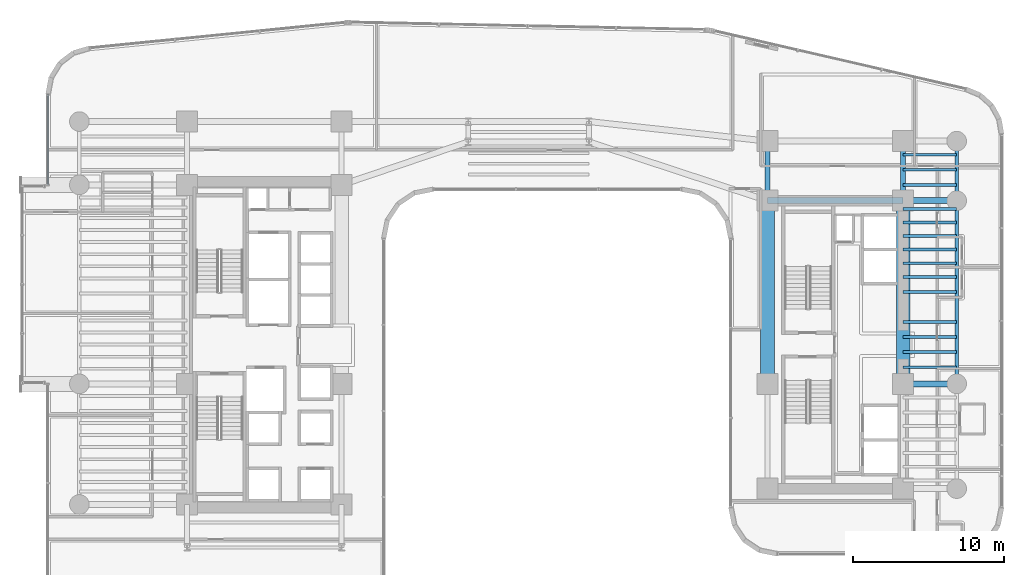
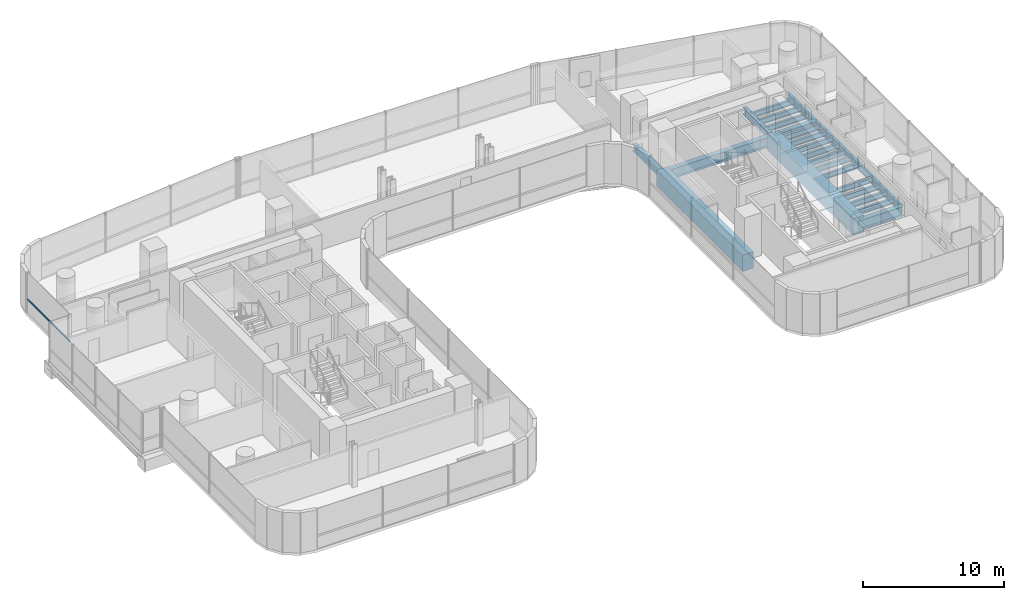
# One storey, part 16 of 39: 23 beams, 1 member, 1 element without a shape of its own.
"""IFC4 building model written with IfcOpenShell, lengths in metres."""

from ifc_helpers import new_model, si_unit, direction, frame, origin, origin_2d, place, context, subcontext, project, spatial, rectangle, hollow_rectangle, i_section, extrude, source, transform, mapped, material, material_profile, profile_set, type_object, element, aggregate, save


model = new_model("IFC4")

# Units and contexts
model_context = context("Model", 3, precision=1e-05, world=origin(), true_north=direction((0.0, 1.0)))
body_context = subcontext(model_context, "Body", "Model", "MODEL_VIEW")
ifc_project = project(units=[si_unit("LENGTHUNIT", "METRE"), si_unit("AREAUNIT", "SQUARE_METRE"), si_unit("VOLUMEUNIT", "CUBIC_METRE"), si_unit("PLANEANGLEUNIT", "RADIAN"), si_unit("MASSUNIT", "GRAM", prefix="KILO")], contexts=[model_context])

# Site, building, storey
site_placement = place(None, origin())
site = spatial("IfcSite", under=ifc_project, at=site_placement, CompositionType="ELEMENT")
building_placement = place(site_placement, origin())
building = spatial("IfcBuilding", under=site, at=building_placement, Name="Valdorenza Pilgrim Sanctuary Tower", CompositionType="ELEMENT")
storey_placement = place(building_placement, frame((0.0, 0.0, 74.10009765625)))
storey = spatial("IfcBuildingStorey", under=building, at=storey_placement, Name="L18", CompositionType="ELEMENT", Elevation=74.10009765625)

# Beams
ifc_material_1 = material(Name="Concrete C60/75", Category="concrete")
ifc_material_profile_1 = material_profile(ifc_material_1, rectangle(XDim=0.89990234375, YDim=1.39990234375, at=origin_2d()), Name="RC 1400x900")
ifc_profile_set_1 = profile_set([ifc_material_profile_1], Name="Concrete C60/75")
beam_type_1 = type_object("IfcBeamType", Name="STR-BM-LNT-1400", PredefinedType="LINTEL", material=ifc_profile_set_1)
shared_shape_1 = source(origin(), body_context, "Body", "SweptSolid", [
    extrude(rectangle(XDim=0.89990234375, YDim=1.39990234375, at=origin_2d()), origin(), (0.0, 0.0, 1.0), 12.150146484375),
])
for number, where, z_axis, x_axis, name in (
    (1, (15.85009765625, -2.60009765625, -0.739990234375), (0.0, 1.0, 0.0), (-1.0, 0.0, 0.0), "L18 Core B West Coupling Lintel Girder"),
    (2, (24.85009765625, -2.60009765625, -0.739990234375), (0.0, 1.0, 0.0), (-1.0, 0.0, 0.0), "L18 Core B East Coupling Lintel Girder"),
):
    element("IfcBeam", number, at=place(storey_placement, frame(where, z_axis=z_axis, x_axis=x_axis)), inside=storey, type_object=beam_type_1, Name=name, PredefinedType="LINTEL", context=body_context, shape_type="MappedRepresentation", body=[
        mapped(shared_shape_1, transform((0.0, 0.0, 0.0), x_axis=(1.0, 0.0, 0.0), y_axis=(0.0, 1.0, 0.0), z_axis=(0.0, 0.0, 1.0), scale=1.0)),
    ])
ifc_material_2 = material(Name="Steel ASTM A992 Grade 50", Category="steel")
ifc_material_profile_2 = material_profile(ifc_material_2, i_section(OverallWidth=0.214111328125, OverallDepth=0.549072265625, WebThickness=0.0146484375, FlangeThickness=0.023681640625, at=origin_2d()), Name="W21X93")
ifc_profile_set_2 = profile_set([ifc_material_profile_2], Name="Steel ASTM A992 Grade 50")
beam_type_2 = type_object("IfcBeamType", Name="STR-BM-SPN-W21A", PredefinedType="SPANDREL", material=ifc_profile_set_2)
shared_shape_2 = source(origin(), body_context, "Body", "SweptSolid", [
    extrude(i_section(OverallWidth=0.214111328125, OverallDepth=0.549072265625, WebThickness=0.0146484375, FlangeThickness=0.023681640625, at=origin_2d()), origin(), (0.0, 0.0, 1.0), 12.150146484375),
])
beam_1_placement = place(storey_placement, frame((28.39990234375, -2.60009765625, -0.5146484375), z_axis=(0.0, 1.0, 0.0), x_axis=(-1.0, 0.0, 0.0)))
element("IfcBeam", 3, at=beam_1_placement, inside=storey, type_object=beam_type_2, Name="L18 Spandrel Beam WB-E-M0N1", PredefinedType="SPANDREL", context=body_context, shape_type="MappedRepresentation", body=[
    mapped(shared_shape_2, transform((0.0, 0.0, 0.0), x_axis=(1.0, 0.0, 0.0), y_axis=(0.0, 1.0, 0.0), z_axis=(0.0, 0.0, 1.0), scale=1.0)),
])
ifc_material_profile_3 = material_profile(ifc_material_2, i_section(OverallWidth=0.323974609375, OverallDepth=0.611083984375, WebThickness=0.0126953125, FlangeThickness=0.01904296875, at=origin_2d()), Name="W24X104")
ifc_profile_set_3 = profile_set([ifc_material_profile_3], Name="Steel ASTM A992 Grade 50")
beam_type_3 = type_object("IfcBeamType", Name="STR-BM-GRD-W24B", PredefinedType="BEAM", material=ifc_profile_set_3)
shared_shape_3 = source(origin(), body_context, "Body", "SweptSolid", [
    extrude(i_section(OverallWidth=0.323974609375, OverallDepth=0.611083984375, WebThickness=0.0126953125, FlangeThickness=0.01904296875, at=origin_2d()), origin(), (0.0, 0.0, 1.0), 3.949951171875),
])
for number, where, z_axis, x_axis, name in (
    (4, (15.85009765625, 9.550048828125, -0.545654296875), (0.0, 1.0, 0.0), (-1.0, 0.0, 0.0), "L18 Core Tie Girder CB-W-N1N2"),
    (5, (24.85009765625, 9.550048828125, -0.545654296875), (0.0, 1.0, 0.0), (-1.0, 0.0, 0.0), "L18 Core Tie Girder CB-E-N1N2"),
):
    element("IfcBeam", number, at=place(storey_placement, frame(where, z_axis=z_axis, x_axis=x_axis)), inside=storey, type_object=beam_type_3, Name=name, PredefinedType="BEAM", context=body_context, shape_type="MappedRepresentation", body=[
        mapped(shared_shape_3, transform((0.0, 0.0, 0.0), x_axis=(1.0, 0.0, 0.0), y_axis=(0.0, 1.0, 0.0), z_axis=(0.0, 0.0, 1.0), scale=1.0)),
    ])
shared_shape_4 = source(origin(), body_context, "Body", "SweptSolid", [
    extrude(i_section(OverallWidth=0.214111328125, OverallDepth=0.549072265625, WebThickness=0.0146484375, FlangeThickness=0.023681640625, at=origin_2d()), origin(), (0.0, 0.0, 1.0), 3.949951171875),
])
beam_2_placement = place(storey_placement, frame((28.39990234375, 9.550048828125, -0.5146484375), z_axis=(0.0, 1.0, 0.0), x_axis=(-1.0, 0.0, 0.0)))
element("IfcBeam", 6, at=beam_2_placement, inside=storey, type_object=beam_type_2, Name="L18 Spandrel Beam WB-E-N1N2", PredefinedType="SPANDREL", context=body_context, shape_type="MappedRepresentation", body=[
    mapped(shared_shape_4, transform((0.0, 0.0, 0.0), x_axis=(1.0, 0.0, 0.0), y_axis=(0.0, 1.0, 0.0), z_axis=(0.0, 0.0, 1.0), scale=1.0)),
])
ifc_material_profile_4 = material_profile(ifc_material_2, i_section(OverallWidth=0.193115234375, OverallDepth=0.466064453125, WebThickness=0.011474609375, FlangeThickness=0.01904296875, at=origin_2d()), Name="W18X65")
ifc_profile_set_4 = profile_set([ifc_material_profile_4], Name="Steel ASTM A992 Grade 50")
beam_type_4 = type_object("IfcBeamType", Name="STR-BM-JST-W18A", PredefinedType="JOIST", material=ifc_profile_set_4)
shared_shape_5 = source(origin(), body_context, "Body", "SweptSolid", [
    extrude(i_section(OverallWidth=0.193115234375, OverallDepth=0.466064453125, WebThickness=0.011474609375, FlangeThickness=0.01904296875, at=origin_2d()), origin(), (0.0, 0.0, 1.0), 3.5498046875),
])
for number, where, z_axis, x_axis, name in (
    (7, (24.85009765625, -1.5, -0.47314453125), (1.0, 0.0, 0.0), (0.0, 1.0, 0.0), "L18 Composite Floor Joist JST-WB-8"),
    (8, (24.85009765625, -0.5, -0.47314453125), (1.0, 0.0, 0.0), (0.0, 1.0, 0.0), "L18 Composite Floor Joist JST-WB-9"),
    (9, (24.85009765625, 0.5, -0.47314453125), (1.0, 0.0, 0.0), (0.0, 1.0, 0.0), "L18 Composite Floor Joist JST-WB-10"),
    (10, (24.85009765625, 1.5, -0.47314453125), (1.0, 0.0, 0.0), (0.0, 1.0, 0.0), "L18 Composite Floor Joist JST-WB-11"),
    (11, (24.85009765625, 3.5, -0.47314453125), (1.0, 0.0, 0.0), (0.0, 1.0, 0.0), "L18 Composite Floor Joist JST-WB-12"),
    (12, (24.85009765625, 4.5, -0.47314453125), (1.0, 0.0, 0.0), (0.0, 1.0, 0.0), "L18 Composite Floor Joist JST-WB-13"),
    (13, (24.85009765625, 5.39990234375, -0.47314453125), (1.0, 0.0, 0.0), (0.0, 1.0, 0.0), "L18 Composite Floor Joist JST-WB-14"),
    (14, (24.85009765625, 6.300048828125, -0.47314453125), (1.0, 0.0, 0.0), (0.0, 1.0, 0.0), "L18 Composite Floor Joist JST-WB-15"),
    (15, (24.85009765625, 7.199951171875, -0.47314453125), (1.0, 0.0, 0.0), (0.0, 1.0, 0.0), "L18 Composite Floor Joist JST-WB-16"),
    (16, (24.85009765625, 8.10009765625, -0.47314453125), (1.0, 0.0, 0.0), (0.0, 1.0, 0.0), "L18 Composite Floor Joist JST-WB-17"),
    (17, (24.85009765625, 9.0, -0.47314453125), (1.0, 0.0, 0.0), (0.0, 1.0, 0.0), "L18 Composite Floor Joist JST-WB-18"),
    (18, (24.85009765625, 10.60009765625, -0.47314453125), (1.0, 0.0, 0.0), (0.0, 1.0, 0.0), "L18 Composite Floor Joist JST-WB-19"),
    (19, (24.85009765625, 11.60009765625, -0.47314453125), (1.0, 0.0, 0.0), (0.0, 1.0, 0.0), "L18 Composite Floor Joist JST-WB-20"),
    (20, (24.85009765625, 12.60009765625, -0.47314453125), (1.0, 0.0, 0.0), (0.0, 1.0, 0.0), "L18 Composite Floor Joist JST-WB-21"),
):
    element("IfcBeam", number, at=place(storey_placement, frame(where, z_axis=z_axis, x_axis=x_axis)), inside=storey, type_object=beam_type_4, Name=name, PredefinedType="JOIST", context=body_context, shape_type="MappedRepresentation", body=[
        mapped(shared_shape_5, transform((0.0, 0.0, 0.0), x_axis=(1.0, 0.0, 0.0), y_axis=(0.0, 1.0, 0.0), z_axis=(0.0, 0.0, 1.0), scale=1.0)),
    ])
ifc_material_profile_5 = material_profile(ifc_material_2, i_section(OverallWidth=0.39990234375, OverallDepth=0.862060546875, WebThickness=0.019775390625, FlangeThickness=0.032470703125, at=origin_2d()), Name="W33X221")
ifc_profile_set_5 = profile_set([ifc_material_profile_5], Name="Steel ASTM A992 Grade 50")
beam_type_5 = type_object("IfcBeamType", Name="STR-BM-GRD-W33", PredefinedType="BEAM", material=ifc_profile_set_5)
shared_shape_6 = source(origin(), body_context, "Body", "SweptSolid", [
    extrude(i_section(OverallWidth=0.39990234375, OverallDepth=0.862060546875, WebThickness=0.019775390625, FlangeThickness=0.032470703125, at=origin_2d()), origin(), (0.0, 0.0, 1.0), 9.0),
])
beam_3_placement = place(storey_placement, frame((15.85009765625, 9.550048828125, -0.671142578125), z_axis=(1.0, 0.0, 0.0), x_axis=(0.0, 1.0, 0.0)))
element("IfcBeam", 21, at=beam_3_placement, inside=storey, type_object=beam_type_5, Name="L18 Floor Girder CB-XC-N1", PredefinedType="BEAM", context=body_context, shape_type="MappedRepresentation", body=[
    mapped(shared_shape_6, transform((0.0, 0.0, 0.0), x_axis=(1.0, 0.0, 0.0), y_axis=(0.0, 1.0, 0.0), z_axis=(0.0, 0.0, 1.0), scale=1.0)),
])
shared_shape_7 = source(origin(), body_context, "Body", "SweptSolid", [
    extrude(i_section(OverallWidth=0.39990234375, OverallDepth=0.862060546875, WebThickness=0.019775390625, FlangeThickness=0.032470703125, at=origin_2d()), origin(), (0.0, 0.0, 1.0), 3.5498046875),
])
for number, where, z_axis, x_axis, name in (
    (22, (24.85009765625, -2.60009765625, -0.671142578125), (1.0, 0.0, 0.0), (0.0, 1.0, 0.0), "L18 Floor Girder WB-XE-M0"),
    (23, (24.85009765625, 9.550048828125, -0.671142578125), (1.0, 0.0, 0.0), (0.0, 1.0, 0.0), "L18 Floor Girder WB-XE-N1"),
):
    element("IfcBeam", number, at=place(storey_placement, frame(where, z_axis=z_axis, x_axis=x_axis)), inside=storey, type_object=beam_type_5, Name=name, PredefinedType="BEAM", context=body_context, shape_type="MappedRepresentation", body=[
        mapped(shared_shape_7, transform((0.0, 0.0, 0.0), x_axis=(1.0, 0.0, 0.0), y_axis=(0.0, 1.0, 0.0), z_axis=(0.0, 0.0, 1.0), scale=1.0)),
    ])

# Curtain wall, member
ifc_material_3 = material(Name="Curtain-wall IGU glazing", Category="glass")
curtain_wall_type = type_object("IfcCurtainWallType", Name="CW-SYS-02", PredefinedType="NOTDEFINED", material=ifc_material_3)
curtain_wall_placement = place(storey_placement, origin())
curtain_wall = element("IfcCurtainWall", 24, at=curtain_wall_placement, inside=storey, type_object=curtain_wall_type, Name="L18 Curtain Wall CW-L18-1-1S2", PredefinedType="NOTDEFINED")
ifc_material_4 = material(Name="Anodised aluminium AW-6060", Category="aluminium")
ifc_material_profile_6 = material_profile(ifc_material_4, hollow_rectangle(XDim=0.074951171875, YDim=0.14990234375, WallThickness=0.00390625, at=origin_2d()), Name="ALU-T 150x75x4")
ifc_profile_set_6 = profile_set([ifc_material_profile_6], Name="Anodised aluminium AW-6060")
member_type = type_object("IfcMemberType", Name="CW-TRN-02", PredefinedType="USERDEFINED", material=ifc_profile_set_6)
shared_shape_8 = source(origin(), body_context, "Body", "SweptSolid", [
    extrude(hollow_rectangle(XDim=0.074951171875, YDim=0.14990234375, WallThickness=0.00390625, at=origin_2d()), origin(), (0.0, 0.0, 1.0), 5.993896484375),
])
member_placement = place(storey_placement, frame((-31.889892578125, 10.60009765625, 1.119873046875), z_axis=(0.0, 1.0, 0.0), x_axis=(-1.0, 0.0, 0.0)))
member = element("IfcMember", 25, at=member_placement, type_object=member_type, Name="CW-L18-1-1S2 Transom 1", ObjectType="TRANSOM", PredefinedType="USERDEFINED", context=body_context, shape_type="MappedRepresentation", body=[
    mapped(shared_shape_8, transform((0.0, 0.0, 0.0), x_axis=(1.0, 0.0, 0.0), y_axis=(0.0, 1.0, 0.0), z_axis=(0.0, 0.0, 1.0), scale=1.0)),
])
aggregate(curtain_wall, [member])

save(model, "model.ifc")
